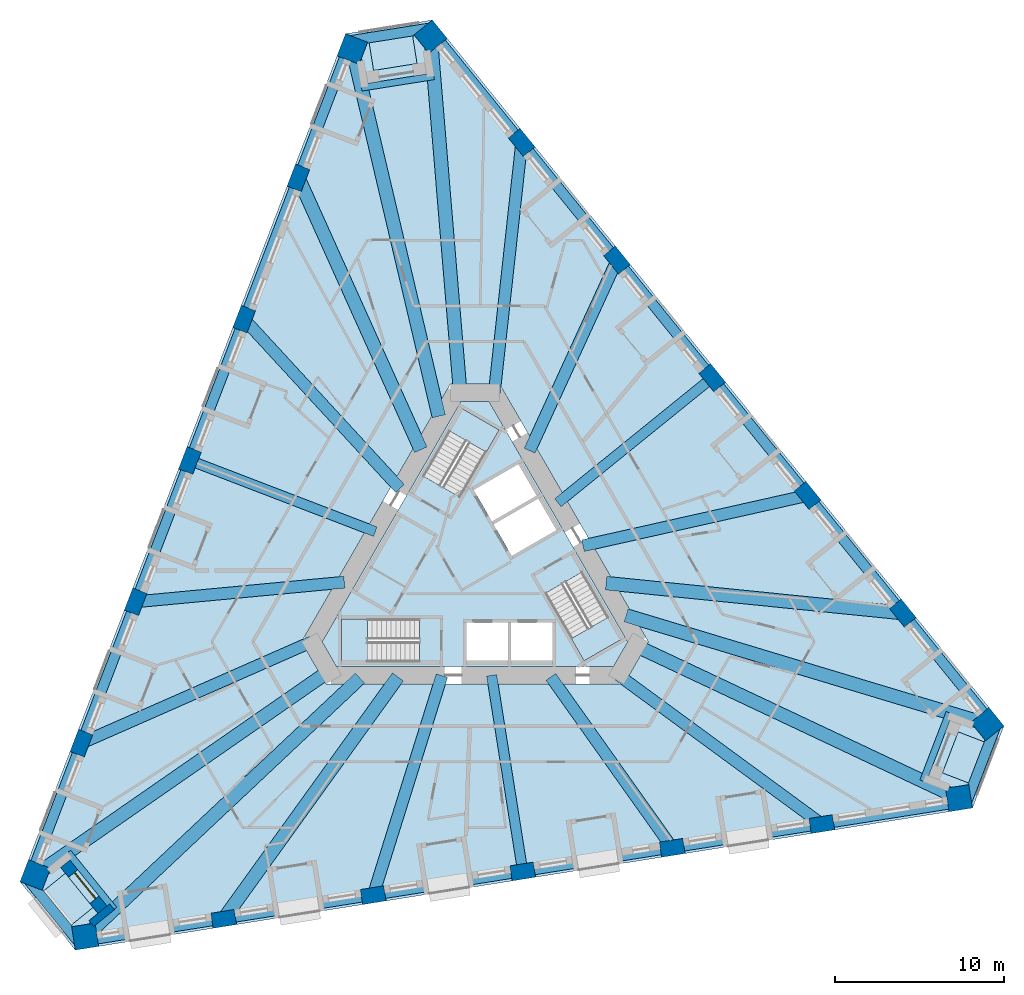
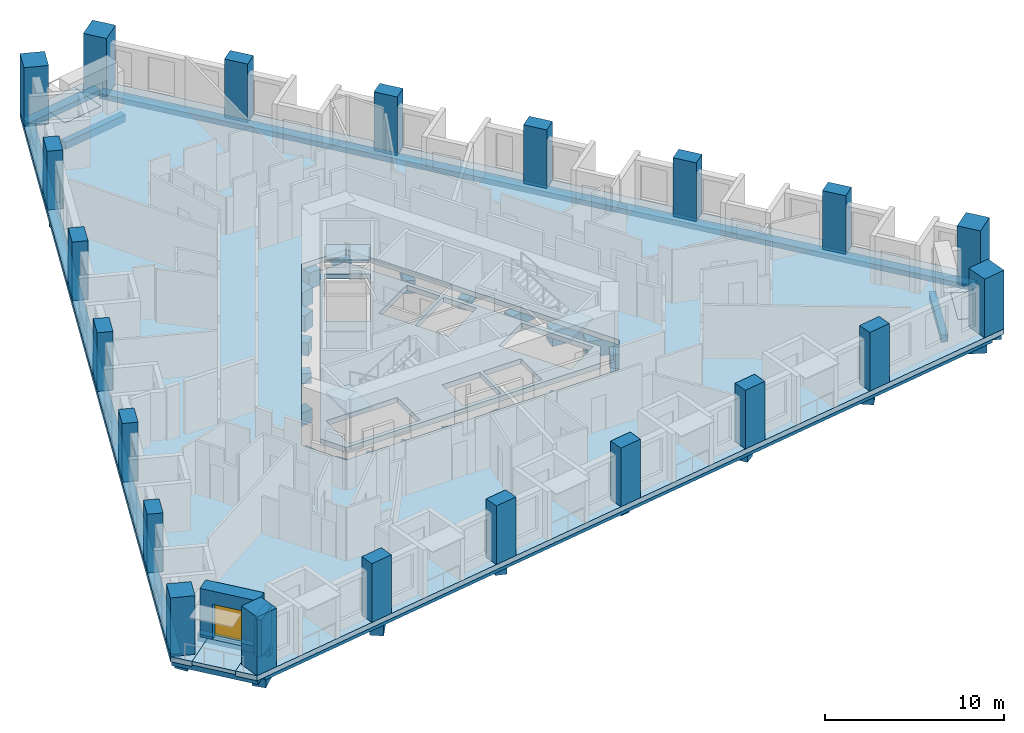
# One storey, part 1 of 14: 30 beams, 21 columns, 8 slabs, 2 walls, 1 door, 1 opening, 3 elements without a shape of their own.
"""IFC4 building model written with IfcOpenShell, lengths in metres."""

from ifc_helpers import new_model, si_unit, direction, frame, frame_2d, origin, origin_2d, place, context, subcontext, project, spatial, polyline, rectangle, outline, extrude, material, layer, layer_set, material_profile, profile_set, type_object, element, fill, aggregate, save


model = new_model("IFC4")

# Units and contexts
model_context = context("Model", 3, precision=1e-05, world=origin(), true_north=direction((0.0, 1.0)))
body_context = subcontext(model_context, "Body", "Model", "MODEL_VIEW")
ifc_project = project(units=[si_unit("LENGTHUNIT", "METRE"), si_unit("AREAUNIT", "SQUARE_METRE"), si_unit("VOLUMEUNIT", "CUBIC_METRE"), si_unit("PLANEANGLEUNIT", "RADIAN"), si_unit("MASSUNIT", "GRAM", prefix="KILO")], contexts=[model_context])

# Site, building, storey
site_placement = place(None, origin())
site = spatial("IfcSite", under=ifc_project, at=site_placement, CompositionType="ELEMENT")
building_placement = place(site_placement, origin())
building = spatial("IfcBuilding", under=site, at=building_placement, Name="Tramontana Tower", CompositionType="ELEMENT")
storey_placement = place(building_placement, frame((0.0, 0.0, 67.199951171875)))
storey = spatial("IfcBuildingStorey", under=building, at=storey_placement, Name="L14", CompositionType="ELEMENT", Elevation=67.199951171875)

# Columns
ifc_material_1 = material(Name="Concrete 70 MPa", Category="concrete")
ifc_material_profile_1 = material_profile(ifc_material_1, rectangle(XDim=1.39990234375, YDim=1.39990234375, at=origin_2d()), Name="Mega column 1400X1400 70 MPa")
ifc_profile_set_1 = profile_set([ifc_material_profile_1], Name="Concrete 70 MPa")
column_type_1 = type_object("IfcColumnType", Name="Mega column 1400X1400 70 MPa", PredefinedType="COLUMN", material=ifc_profile_set_1)
for number, where, z_axis, x_axis, name in (
    (1, (-7.24755859375, 30.7890625, 0.0), (0.0, 0.0, 1.0), (-0.358367949545, -0.933580426497, 0.0), "Mega column C1K1 L14"),
    (2, (-25.98779296875, -18.03125, 0.0), (0.0, 0.0, 1.0), (-0.358367949545, -0.933580426497, 0.0), "Mega column C1K2 L14"),
    (3, (-23.040283203125, -21.671142578125, 0.0), (0.0, 0.0, 1.0), (0.987688340595, 0.15643446504, 0.0), "Mega column C1K3 L14"),
    (4, (28.609375, -13.490478515625, 0.0), (0.0, 0.0, 1.0), (0.987688340595, 0.15643446504, 0.0), "Mega column C1K4 L14"),
    (5, (30.287841796875, -9.117919921875, 0.0), (0.0, 0.0, 1.0), (-0.62932039105, 0.777145961457, 0.0), "Mega column C1K5 L14"),
    (6, (-2.62158203125, 31.521728515625, 0.0), (0.0, 0.0, 1.0), (-0.62932039105, 0.777145961457, 0.0), "Mega column C1K6 L14"),
):
    element("IfcColumn", number, at=place(storey_placement, frame(where, z_axis=z_axis, x_axis=x_axis)), inside=storey, type_object=column_type_1, Name=name, PredefinedType="COLUMN", context=body_context, shape_type="SweptSolid", body=[
        extrude(rectangle(XDim=1.39990234375, YDim=1.39990234375, at=origin_2d()), origin(), (0.0, 0.0, 1.0), 4.0),
    ])
ifc_material_2 = material(Name="Concrete 55 MPa", Category="concrete")
ifc_material_profile_2 = material_profile(ifc_material_2, rectangle(XDim=1.39990234375, YDim=0.89990234375, at=origin_2d()), Name="Pier column 1400X900 55 MPa")
ifc_profile_set_2 = profile_set([ifc_material_profile_2], Name="Concrete 55 MPa")
column_type_2 = type_object("IfcColumnType", Name="Pier column 1400X900 55 MPa", PredefinedType="COLUMN", material=ifc_profile_set_2)
for number, where, z_axis, x_axis, name in (
    (7, (-10.43701171875, 23.177734375, 0.0), (0.0, 0.0, 1.0), (-0.358367949545, -0.933580426497, 0.0), "Pier column C1F01 L14"),
    (8, (-13.64404296875, 14.822998046875, 0.0), (0.0, 0.0, 1.0), (-0.358367949545, -0.933580426497, 0.0), "Pier column C1F02 L14"),
    (9, (-16.85107421875, 6.468505859375, 0.0), (0.0, 0.0, 1.0), (-0.358367949545, -0.933580426497, 0.0), "Pier column C1F03 L14"),
    (10, (-20.05810546875, -1.885986328125, 0.0), (0.0, 0.0, 1.0), (-0.358367949545, -0.933580426497, 0.0), "Pier column C1F04 L14"),
    (11, (-23.26513671875, -10.240478515625, 0.0), (0.0, 0.0, 1.0), (-0.358367949545, -0.933580426497, 0.0), "Pier column C1F05 L14"),
    (12, (-14.853759765625, -20.627685546875, 0.0), (0.0, 0.0, 1.0), (0.987688340595, 0.15643446504, 0.0), "Pier column C1F06 L14"),
    (13, (-6.01513671875, -19.227783203125, 0.0), (0.0, 0.0, 1.0), (0.987688340595, 0.15643446504, 0.0), "Pier column C1F07 L14"),
    (14, (2.82373046875, -17.827880859375, 0.0), (0.0, 0.0, 1.0), (0.987688340595, 0.15643446504, 0.0), "Pier column C1F08 L14"),
    (15, (11.662353515625, -16.427734375, 0.0), (0.0, 0.0, 1.0), (0.987688340595, 0.15643446504, 0.0), "Pier column C1F09 L14"),
    (16, (20.501220703125, -15.02783203125, 0.0), (0.0, 0.0, 1.0), (0.987688340595, 0.15643446504, 0.0), "Pier column C1F10 L14"),
    (17, (25.291015625, -2.550048828125, 0.0), (0.0, 0.0, 1.0), (-0.62932039105, 0.777145961457, 0.0), "Pier column C1F11 L14"),
    (18, (19.6591796875, 4.404541015625, 0.0), (0.0, 0.0, 1.0), (-0.62932039105, 0.777145961457, 0.0), "Pier column C1F12 L14"),
    (19, (14.027587890625, 11.359130859375, 0.0), (0.0, 0.0, 1.0), (-0.62932039105, 0.777145961457, 0.0), "Pier column C1F13 L14"),
    (20, (8.395751953125, 18.31396484375, 0.0), (0.0, 0.0, 1.0), (-0.62932039105, 0.777145961457, 0.0), "Pier column C1F14 L14"),
    (21, (2.763916015625, 25.2685546875, 0.0), (0.0, 0.0, 1.0), (-0.62932039105, 0.777145961457, 0.0), "Pier column C1F15 L14"),
):
    element("IfcColumn", number, at=place(storey_placement, frame(where, z_axis=z_axis, x_axis=x_axis)), inside=storey, type_object=column_type_2, Name=name, PredefinedType="COLUMN", context=body_context, shape_type="SweptSolid", body=[
        extrude(rectangle(XDim=1.39990234375, YDim=0.89990234375, at=origin_2d()), origin(), (0.0, 0.0, 1.0), 4.0),
    ])

# Beams
ifc_material_3 = material(Name="Concrete 40 MPa", Category="concrete")
ifc_material_profile_3 = material_profile(ifc_material_3, rectangle(XDim=0.60009765625, YDim=0.35009765625, at=origin_2d()), Name="RC EDGE BEAM 600X350 40 MPa")
ifc_profile_set_3 = profile_set([ifc_material_profile_3], Name="Concrete 40 MPa")
beam_type_1 = type_object("IfcBeamType", Name="RC EDGE BEAM 600X350 40 MPa", PredefinedType="SPANDREL", material=ifc_profile_set_3)
beam_1_placement = place(storey_placement, frame((-7.48095703125, 30.878662109375, -0.52490234375), z_axis=(-0.358365819965, -0.933581243964, 0.0), x_axis=(0.933581243964, -0.358365819965, 0.0)))
element("IfcBeam", 22, at=beam_1_placement, inside=storey, type_object=beam_type_1, Name="Spandrel beam S0 L14", PredefinedType="SPANDREL", context=body_context, shape_type="SweptSolid", body=[
    extrude(rectangle(XDim=0.60009765625, YDim=0.35009765625, at=origin_2d()), origin(), (0.0, 0.0, 1.0), 52.293701171875),
])
beam_2_placement = place(storey_placement, frame((-23.001220703125, -21.91796875, -0.52490234375), z_axis=(0.987688583718, 0.156432930012, 0.0), x_axis=(-0.156432930012, 0.987688583718, 0.0)))
element("IfcBeam", 23, at=beam_2_placement, inside=storey, type_object=beam_type_1, Name="Spandrel beam S1 L14", PredefinedType="SPANDREL", context=body_context, shape_type="SweptSolid", body=[
    extrude(rectangle(XDim=0.60009765625, YDim=0.35009765625, at=origin_2d()), origin(), (0.0, 0.0, 1.0), 52.29345703125),
])
beam_3_placement = place(storey_placement, frame((30.482177734375, -8.960693359375, -0.52490234375), z_axis=(-0.62931909415, 0.777147011664, 0.0), x_axis=(-0.777147011664, -0.62931909415, 0.0)))
element("IfcBeam", 24, at=beam_3_placement, inside=storey, type_object=beam_type_1, Name="Spandrel beam S2 L14", PredefinedType="SPANDREL", context=body_context, shape_type="SweptSolid", body=[
    extrude(rectangle(XDim=0.60009765625, YDim=0.35009765625, at=origin_2d()), origin(), (0.0, 0.0, 1.0), 52.293701171875),
])
beam_4_placement = place(storey_placement, frame((-2.447509765625, 32.061767578125, -0.52490234375), z_axis=(-0.987692388858, -0.156408903173, 0.0), x_axis=(0.156408903173, -0.987692388858, 0.0)))
element("IfcBeam", 25, at=beam_4_placement, inside=storey, type_object=beam_type_1, Name="Spandrel beam K0 L14", PredefinedType="SPANDREL", context=body_context, shape_type="SweptSolid", body=[
    extrude(rectangle(XDim=0.60009765625, YDim=0.35009765625, at=origin_2d()), origin(), (0.0, 0.0, 1.0), 5.1962890625),
])
for number, where, z_axis, x_axis, name in (
    (26, (-26.54248046875, -18.150634765625, -0.52490234375), (0.629325274503, -0.777142006889, 0.0), (0.777142006889, 0.629325274503, 0.0), "Spandrel beam K1 L14"),
    (27, (28.990234375, -13.9111328125, -0.52490234375), (0.358368174287, 0.933580340227, 0.0), (-0.933580340227, 0.358368174287, 0.0), "Spandrel beam K2 L14"),
):
    element("IfcBeam", number, at=place(storey_placement, frame(where, z_axis=z_axis, x_axis=x_axis)), inside=storey, type_object=beam_type_1, Name=name, PredefinedType="SPANDREL", context=body_context, shape_type="SweptSolid", body=[
        extrude(rectangle(XDim=0.60009765625, YDim=0.35009765625, at=origin_2d()), origin(), (0.0, 0.0, 1.0), 5.196044921875),
    ])
ifc_material_4 = material(Name="Concrete 40 MPa", Category="concrete")
ifc_material_profile_4 = material_profile(ifc_material_4, rectangle(XDim=0.60009765625, YDim=0.699951171875, at=origin_2d()), Name="RC GIRDER 600X700 40 MPa")
ifc_profile_set_4 = profile_set([ifc_material_profile_4], Name="Concrete 40 MPa")
beam_type_2 = type_object("IfcBeamType", Name="RC GIRDER 600X700 40 MPa", PredefinedType="BEAM", material=ifc_profile_set_4)
beam_5_placement = place(storey_placement, frame((-16.85107421875, 6.468505859375, -0.699951171875), z_axis=(0.933580146246, -0.358368679624, 0.0), x_axis=(0.358368679624, 0.933580146246, 0.0)))
element("IfcBeam", 28, at=beam_5_placement, inside=storey, type_object=beam_type_2, Name="Radial girder C1F03 L14", PredefinedType="BEAM", context=body_context, shape_type="SweptSolid", body=[
    extrude(rectangle(XDim=0.60009765625, YDim=0.699951171875, at=origin_2d()), origin(), (0.0, 0.0, 1.0), 11.74072265625),
])
for number, where, z_axis, x_axis, name in (
    (29, (2.823486328125, -17.827880859375, -0.699951171875), (-0.156412100064, 0.9876918826, 0.0), (-0.9876918826, -0.156412100064, 0.0), "Radial girder C1F08 L14"),
    (30, (14.027587890625, 11.359130859375, -0.699951171875), (-0.777154793409, -0.62930948434, 0.0), (0.62930948434, -0.777154793409, 0.0), "Radial girder C1F13 L14"),
):
    element("IfcBeam", number, at=place(storey_placement, frame(where, z_axis=z_axis, x_axis=x_axis)), inside=storey, type_object=beam_type_2, Name=name, PredefinedType="BEAM", context=body_context, shape_type="SweptSolid", body=[
        extrude(rectangle(XDim=0.60009765625, YDim=0.699951171875, at=origin_2d()), origin(), (0.0, 0.0, 1.0), 11.740966796875),
    ])
ifc_material_5 = material(Name="Concrete 40 MPa", Category="concrete")
ifc_material_profile_5 = material_profile(ifc_material_5, rectangle(XDim=0.699951171875, YDim=0.89990234375, at=origin_2d()), Name="RC GIRDER 700X900 40 MPa")
ifc_profile_set_5 = profile_set([ifc_material_profile_5], Name="Concrete 40 MPa")
beam_type_3 = type_object("IfcBeamType", Name="RC GIRDER 700X900 40 MPa", PredefinedType="BEAM", material=ifc_profile_set_5)
beam_6_placement = place(storey_placement, frame((-13.64404296875, 14.822998046875, -0.800048828125), z_axis=(0.677237750705, -0.735764248261, 0.0), x_axis=(0.735764248261, 0.677237750705, 0.0)))
element("IfcBeam", 31, at=beam_6_placement, inside=storey, type_object=beam_type_3, Name="Radial girder C1F02 L14", PredefinedType="BEAM", context=body_context, shape_type="SweptSolid", body=[
    extrude(rectangle(XDim=0.699951171875, YDim=0.89990234375, at=origin_2d()), origin(), (0.0, 0.0, 1.0), 13.598876953125),
])
beam_7_placement = place(storey_placement, frame((-20.05810546875, -1.885986328125, -0.800048828125), z_axis=(0.995608960431, 0.093609817375, 0.0), x_axis=(-0.093609817375, 0.995608960431, 0.0)))
element("IfcBeam", 32, at=beam_7_placement, inside=storey, type_object=beam_type_3, Name="Radial girder C1F04 L14", PredefinedType="BEAM", context=body_context, shape_type="SweptSolid", body=[
    extrude(rectangle(XDim=0.699951171875, YDim=0.89990234375, at=origin_2d()), origin(), (0.0, 0.0, 1.0), 12.3935546875),
])
beam_8_placement = place(storey_placement, frame((-23.26513671875, -10.240478515625, -0.800048828125), z_axis=(0.915262520168, 0.402857939199, 0.0), x_axis=(-0.402857939199, 0.915262520168, 0.0)))
element("IfcBeam", 33, at=beam_8_placement, inside=storey, type_object=beam_type_3, Name="Radial girder C1F05 L14", PredefinedType="BEAM", context=body_context, shape_type="SweptSolid", body=[
    extrude(rectangle(XDim=0.699951171875, YDim=0.89990234375, at=origin_2d()), origin(), (0.0, 0.0, 1.0), 14.87841796875),
])
beam_9_placement = place(storey_placement, frame((-6.01513671875, -19.227783203125, -0.800048828125), z_axis=(0.298567329493, 0.954388573779, 0.0), x_axis=(-0.954388573779, 0.298567329493, 0.0)))
element("IfcBeam", 34, at=beam_9_placement, inside=storey, type_object=beam_type_3, Name="Radial girder C1F07 L14", PredefinedType="BEAM", context=body_context, shape_type="SweptSolid", body=[
    extrude(rectangle(XDim=0.699951171875, YDim=0.89990234375, at=origin_2d()), origin(), (0.0, 0.0, 1.0), 13.599365234375),
])
beam_10_placement = place(storey_placement, frame((11.662353515625, -16.427978515625, -0.800048828125), z_axis=(-0.578872935906, 0.815417760461, 0.0), x_axis=(-0.815417760461, -0.578872935906, 0.0)))
element("IfcBeam", 35, at=beam_10_placement, inside=storey, type_object=beam_type_3, Name="Radial girder C1F09 L14", PredefinedType="BEAM", context=body_context, shape_type="SweptSolid", body=[
    extrude(rectangle(XDim=0.699951171875, YDim=0.89990234375, at=origin_2d()), origin(), (0.0, 0.0, 1.0), 12.3935546875),
])
beam_11_placement = place(storey_placement, frame((20.501220703125, -15.02783203125, -0.800048828125), z_axis=(-0.806528613825, 0.591195056712, 0.0), x_axis=(-0.591195056712, -0.806528613825, 0.0)))
element("IfcBeam", 36, at=beam_11_placement, inside=storey, type_object=beam_type_3, Name="Radial girder C1F10 L14", PredefinedType="BEAM", context=body_context, shape_type="SweptSolid", body=[
    extrude(rectangle(XDim=0.699951171875, YDim=0.89990234375, at=origin_2d()), origin(), (0.0, 0.0, 1.0), 14.878662109375),
])
beam_12_placement = place(storey_placement, frame((19.6591796875, 4.404541015625, -0.800048828125), z_axis=(-0.975807938002, -0.218629522556, 0.0), x_axis=(0.218629522556, -0.975807938002, 0.0)))
element("IfcBeam", 37, at=beam_12_placement, inside=storey, type_object=beam_type_3, Name="Radial girder C1F12 L14", PredefinedType="BEAM", context=body_context, shape_type="SweptSolid", body=[
    extrude(rectangle(XDim=0.699951171875, YDim=0.89990234375, at=origin_2d()), origin(), (0.0, 0.0, 1.0), 13.59912109375),
])
beam_13_placement = place(storey_placement, frame((8.395751953125, 18.31396484375, -0.800048828125), z_axis=(-0.416724572993, -0.909032799333, 0.0), x_axis=(0.909032799333, -0.416724572993, 0.0)))
element("IfcBeam", 38, at=beam_13_placement, inside=storey, type_object=beam_type_3, Name="Radial girder C1F14 L14", PredefinedType="BEAM", context=body_context, shape_type="SweptSolid", body=[
    extrude(rectangle(XDim=0.699951171875, YDim=0.89990234375, at=origin_2d()), origin(), (0.0, 0.0, 1.0), 12.393798828125),
])
beam_14_placement = place(storey_placement, frame((2.763916015625, 25.2685546875, -0.800048828125), z_axis=(-0.108724057734, -0.994071968858, 0.0), x_axis=(0.994071968858, -0.108724057734, 0.0)))
element("IfcBeam", 39, at=beam_14_placement, inside=storey, type_object=beam_type_3, Name="Radial girder C1F15 L14", PredefinedType="BEAM", context=body_context, shape_type="SweptSolid", body=[
    extrude(rectangle(XDim=0.699951171875, YDim=0.89990234375, at=origin_2d()), origin(), (0.0, 0.0, 1.0), 14.878662109375),
])
ifc_material_6 = material(Name="Concrete 40 MPa", Category="concrete")
ifc_material_profile_6 = material_profile(ifc_material_6, rectangle(XDim=0.800048828125, YDim=1.10009765625, at=origin_2d()), Name="RC GIRDER 800X1100 40 MPa")
ifc_profile_set_6 = profile_set([ifc_material_profile_6], Name="Concrete 40 MPa")
beam_type_4 = type_object("IfcBeamType", Name="RC GIRDER 800X1100 40 MPa", PredefinedType="BEAM", material=ifc_profile_set_6)
beam_15_placement = place(storey_placement, frame((-7.24755859375, 30.7890625, -0.89990234375), z_axis=(0.229129631405, -0.973395917401, 0.0), x_axis=(0.973395917401, 0.229129631405, 0.0)))
element("IfcBeam", 40, at=beam_15_placement, inside=storey, type_object=beam_type_4, Name="Radial girder C1K1 L14", PredefinedType="BEAM", context=body_context, shape_type="SweptSolid", body=[
    extrude(rectangle(XDim=0.800048828125, YDim=1.10009765625, at=origin_2d()), origin(), (0.0, 0.0, 1.0), 22.30322265625),
])
beam_16_placement = place(storey_placement, frame((-10.43701171875, 23.177490234375, -0.89990234375), z_axis=(0.410600793892, -0.91181521596, 0.0), x_axis=(0.91181521596, 0.410600793892, 0.0)))
element("IfcBeam", 41, at=beam_16_placement, inside=storey, type_object=beam_type_4, Name="Radial girder C1F01 L14", PredefinedType="BEAM", context=body_context, shape_type="SweptSolid", body=[
    extrude(rectangle(XDim=0.800048828125, YDim=1.10009765625, at=origin_2d()), origin(), (0.0, 0.0, 1.0), 17.626220703125),
])
beam_17_placement = place(storey_placement, frame((-25.98779296875, -18.03125, -0.89990234375), z_axis=(0.821603252741, 0.570059729402, 0.0), x_axis=(-0.570059729402, 0.821603252741, 0.0)))
element("IfcBeam", 42, at=beam_17_placement, inside=storey, type_object=beam_type_4, Name="Radial girder C1K2 L14", PredefinedType="BEAM", context=body_context, shape_type="SweptSolid", body=[
    extrude(rectangle(XDim=0.800048828125, YDim=1.10009765625, at=origin_2d()), origin(), (0.0, 0.0, 1.0), 21.11767578125),
])
beam_18_placement = place(storey_placement, frame((-23.040283203125, -21.671142578125, -0.89990234375), z_axis=(0.728416554247, 0.685134529489, 0.0), x_axis=(-0.685134529489, 0.728416554247, 0.0)))
element("IfcBeam", 43, at=beam_18_placement, inside=storey, type_object=beam_type_4, Name="Radial girder C1K3 L14", PredefinedType="BEAM", context=body_context, shape_type="SweptSolid", body=[
    extrude(rectangle(XDim=0.800048828125, YDim=1.10009765625, at=origin_2d()), origin(), (0.0, 0.0, 1.0), 22.30322265625),
])
beam_19_placement = place(storey_placement, frame((-14.85400390625, -20.627685546875, -0.89990234375), z_axis=(0.584356173005, 0.81149729702, 0.0), x_axis=(-0.81149729702, 0.584356173005, 0.0)))
element("IfcBeam", 44, at=beam_19_placement, inside=storey, type_object=beam_type_4, Name="Radial girder C1F06 L14", PredefinedType="BEAM", context=body_context, shape_type="SweptSolid", body=[
    extrude(rectangle(XDim=0.800048828125, YDim=1.10009765625, at=origin_2d()), origin(), (0.0, 0.0, 1.0), 17.626220703125),
])
beam_20_placement = place(storey_placement, frame((28.609375, -13.490478515625, -0.89990234375), z_axis=(-0.904488564757, 0.426497873645, 0.0), x_axis=(-0.426497873645, -0.904488564757, 0.0)))
element("IfcBeam", 45, at=beam_20_placement, inside=storey, type_object=beam_type_4, Name="Radial girder C1K4 L14", PredefinedType="BEAM", context=body_context, shape_type="SweptSolid", body=[
    extrude(rectangle(XDim=0.800048828125, YDim=1.10009765625, at=origin_2d()), origin(), (0.0, 0.0, 1.0), 21.11767578125),
])
beam_21_placement = place(storey_placement, frame((30.287841796875, -9.117919921875, -0.89990234375), z_axis=(-0.957551991149, 0.288260618619, 0.0), x_axis=(-0.288260618619, -0.957551991149, 0.0)))
element("IfcBeam", 46, at=beam_21_placement, inside=storey, type_object=beam_type_4, Name="Radial girder C1K5 L14", PredefinedType="BEAM", context=body_context, shape_type="SweptSolid", body=[
    extrude(rectangle(XDim=0.800048828125, YDim=1.10009765625, at=origin_2d()), origin(), (0.0, 0.0, 1.0), 22.303466796875),
])
beam_22_placement = place(storey_placement, frame((25.291015625, -2.550048828125, -0.89990234375), z_axis=(-0.99495498196, 0.100322399654, 0.0), x_axis=(-0.100322399654, -0.99495498196, 0.0)))
element("IfcBeam", 47, at=beam_22_placement, inside=storey, type_object=beam_type_4, Name="Radial girder C1F11 L14", PredefinedType="BEAM", context=body_context, shape_type="SweptSolid", body=[
    extrude(rectangle(XDim=0.800048828125, YDim=1.10009765625, at=origin_2d()), origin(), (0.0, 0.0, 1.0), 17.626220703125),
])
beam_23_placement = place(storey_placement, frame((-2.62158203125, 31.521728515625, -0.89990234375), z_axis=(0.082880913658, -0.996559458412, 0.0), x_axis=(0.996559458412, 0.082880913658, 0.0)))
element("IfcBeam", 48, at=beam_23_placement, inside=storey, type_object=beam_type_4, Name="Radial girder C1K6 L14", PredefinedType="BEAM", context=body_context, shape_type="SweptSolid", body=[
    extrude(rectangle(XDim=0.800048828125, YDim=1.10009765625, at=origin_2d()), origin(), (0.0, 0.0, 1.0), 21.11767578125),
])
ifc_material_7 = material(Name="Concrete 40 MPa", Category="concrete")
ifc_material_profile_7 = material_profile(ifc_material_7, rectangle(XDim=0.39990234375, YDim=0.5, at=origin_2d()), Name="RC TRIM BEAM 400X500 40 MPa")
ifc_profile_set_7 = profile_set([ifc_material_profile_7], Name="Concrete 40 MPa")
beam_type_5 = type_object("IfcBeamType", Name="RC TRIM BEAM 400X500 40 MPa", PredefinedType="JOIST", material=ifc_profile_set_7)
for number, where, z_axis, x_axis, name in (
    (49, (-2.4267578125, 29.1796875, -0.599853515625), (-0.987688889444, -0.156430999708, 0.0), (0.156430999708, -0.987688889444, 0.0), "Trimmer beam K0 L14"),
    (50, (-24.056884765625, -16.69140625, -0.599853515625), (0.629326191545, -0.777141264273, 0.0), (0.777141264273, 0.629326191545, 0.0), "Trimmer beam K1 L14"),
    (51, (26.483642578125, -12.48828125, -0.599853515625), (0.358345094406, 0.933589199442, 0.0), (-0.933589199442, 0.358345094406, 0.0), "Trimmer beam K2 L14"),
):
    element("IfcBeam", number, at=place(storey_placement, frame(where, z_axis=z_axis, x_axis=x_axis)), inside=storey, type_object=beam_type_5, Name=name, PredefinedType="JOIST", context=body_context, shape_type="SweptSolid", body=[
        extrude(rectangle(XDim=0.39990234375, YDim=0.5, at=origin_2d()), origin(), (0.0, 0.0, 1.0), 4.335693359375),
    ])

# Slabs
ifc_material_8 = material(Name="Precast concrete 50 MPa", Category="concrete")
ifc_layer_1 = layer(ifc_material_8, 0.25)
ifc_layer_set_1 = layer_set([ifc_layer_1], Name="LT1 Loggia floor tray 250")
slab_type_1 = type_object("IfcSlabType", Name="LT1 Loggia floor tray 250", PredefinedType="FLOOR", material=ifc_layer_set_1)
slab_1_placement = place(storey_placement, frame((0.0, 0.0, -0.25)))
element("IfcSlab", 52, at=slab_1_placement, inside=storey, type_object=slab_type_1, Name="Corner loggia floor L14 K10", PredefinedType="FLOOR", context=body_context, shape_type="SweptSolid", body=[
    extrude(outline(polyline([(-3.800048828125, 32.30322265625), (-3.424560546875, 29.932861328125), (-5.99267578125, 29.526123046875), (-6.3681640625, 31.896484375), (-3.800048828125, 32.30322265625)])), origin(), (0.0, 0.0, 1.0), 0.25),
])
slab_2_placement = place(storey_placement, frame((0.0, 0.0, -0.25)))
element("IfcSlab", 53, at=slab_2_placement, inside=storey, type_object=slab_type_1, Name="Corner loggia floor L14 K11", PredefinedType="FLOOR", context=body_context, shape_type="SweptSolid", body=[
    extrude(outline(polyline([(-26.075439453125, -19.442626953125), (-24.210205078125, -17.932373046875), (-22.573974609375, -19.952880859375), (-24.439208984375, -21.463134765625), (-26.075439453125, -19.442626953125)])), origin(), (0.0, 0.0, 1.0), 0.25),
])
slab_3_placement = place(storey_placement, frame((0.0, 0.0, -0.25)))
element("IfcSlab", 54, at=slab_3_placement, inside=storey, type_object=slab_type_1, Name="Corner loggia floor L14 K12", PredefinedType="FLOOR", context=body_context, shape_type="SweptSolid", body=[
    extrude(outline(polyline([(29.87548828125, -12.860595703125), (27.635009765625, -12.00048828125), (28.566650390625, -9.5732421875), (30.80712890625, -10.433349609375), (29.87548828125, -12.860595703125)])), origin(), (0.0, 0.0, 1.0), 0.25),
])
ifc_material_9 = material(Name="Concrete 40 MPa", Category="concrete")
ifc_layer_2 = layer(ifc_material_9, 0.35009765625)
ifc_layer_set_2 = layer_set([ifc_layer_2], Name="PT FLAT SLAB 350 40 MPa")
slab_type_2 = type_object("IfcSlabType", Name="PT FLAT SLAB 350 40 MPa", PredefinedType="FLOOR", material=ifc_layer_set_2)
slab_4_placement = place(storey_placement, frame((0.0, 0.0, -0.349853515625)))
element("IfcSlab", 55, at=slab_4_placement, inside=storey, type_object=slab_type_2, Name="Floor slab L14", PredefinedType="FLOOR", context=body_context, shape_type="SweptSolid", body=[
    extrude(outline(polyline([(30.80712890625, -10.433349609375), (28.566650390625, -9.5732421875), (27.635009765625, -12.00048828125), (29.87548828125, -12.860595703125), (29.410400390625, -14.072509765625), (-23.622314453125, -22.471923828125), (-24.439208984375, -21.463134765625), (-22.573974609375, -19.952880859375), (-24.210205078125, -17.932373046875), (-26.075439453125, -19.442626953125), (-26.892333984375, -18.433837890625), (-7.650146484375, 31.693359375), (-6.3681640625, 31.896484375), (-5.99267578125, 29.526123046875), (-3.4248046875, 29.932861328125), (-3.800048828125, 32.30322265625), (-2.51806640625, 32.50634765625), (31.2724609375, -9.221435546875), (30.80712890625, -10.433349609375)]), holes=[polyline([(-10.248046875, -4.25), (-8.8046875, -6.75), (8.8046875, -6.75), (10.248046875, -4.25), (1.443359375, 11.0), (-1.443359375, 11.0), (-10.248046875, -4.25)])]), origin(), (0.0, 0.0, 1.0), 0.349853515625),
])
slab_5_placement = place(storey_placement, frame((0.0, 0.0, -0.349853515625)))
element("IfcSlab", 56, at=slab_5_placement, inside=storey, type_object=slab_type_2, Name="Core floor slab L14", PredefinedType="FLOOR", context=body_context, shape_type="SweptSolid", body=[
    extrude(outline(polyline([(9.035400390625, -4.25), (8.198486328125, -5.699951171875), (-8.198486328125, -5.699951171875), (-9.035400390625, -4.25), (-0.837158203125, 9.949951171875), (0.837158203125, 9.949951171875), (9.035400390625, -4.25)]), holes=[polyline([(8.659912109375, -4.099365234375), (6.35986328125, -0.115478515625), (4.151611328125, -1.390625), (6.451416015625, -5.374267578125), (8.659912109375, -4.099365234375)]), polyline([(3.829833984375, 4.2666015625), (1.101806640625, 2.69140625), (2.177001953125, 0.82958984375), (4.90478515625, 2.404541015625), (3.829833984375, 4.2666015625)]), polyline([(4.590087890625, -3.10009765625), (2.139892578125, -3.10009765625), (2.139892578125, -5.449951171875), (4.590087890625, -5.449951171875), (4.590087890625, -3.10009765625)]), polyline([(2.65478515625, 6.3017578125), (-0.072998046875, 4.726806640625), (1.001953125, 2.86474609375), (3.729736328125, 4.439697265625), (2.65478515625, 6.3017578125)]), polyline([(1.93994140625, -5.449951171875), (1.93994140625, -3.10009765625), (-0.510009765625, -3.10009765625), (-0.510009765625, -5.449951171875), (1.93994140625, -5.449951171875)]), polyline([(-0.77978515625, 9.54931640625), (-3.079833984375, 5.565673828125), (-0.87158203125, 4.29052734375), (1.428466796875, 8.2744140625), (-0.77978515625, 9.54931640625)]), polyline([(-7.8798828125, -5.449951171875), (-3.280029296875, -5.449951171875), (-3.280029296875, -2.89990234375), (-7.8798828125, -2.89990234375), (-7.8798828125, -5.449951171875)])]), origin(), (0.0, 0.0, 1.0), 0.349853515625),
])

# Stair, slab
ifc_material_10 = material(Name="Concrete 40 MPa", Category="concrete")
stair_type = type_object("IfcStairType", Name="EXIT STAIR 24 RISERS", PredefinedType="HALF_TURN_STAIR", material=ifc_material_10)
stair_1_placement = place(storey_placement, origin())
stair_1 = element("IfcStair", 57, at=stair_1_placement, inside=storey, type_object=stair_type, Name="L14 Exit stair ST1", PredefinedType="HALF_TURN_STAIR")
ifc_material_11 = material(Name="Concrete 40 MPa", Category="concrete")
ifc_layer_3 = layer(ifc_material_11, 0.199951171875)
ifc_layer_set_3 = layer_set([ifc_layer_3], Name="STAIR LANDING 200")
slab_type_3 = type_object("IfcSlabType", Name="STAIR LANDING 200", PredefinedType="LANDING", material=ifc_layer_set_3)
slab_6_placement = place(storey_placement, frame((0.0, 0.0, 1.800048828125)))
slab_6 = element("IfcSlab", 58, at=slab_6_placement, type_object=slab_type_3, Name="ST1 landing 1", PredefinedType="LANDING", context=body_context, shape_type="SweptSolid", body=[
    extrude(outline(polyline([(0.66845703125, 6.9580078125), (1.428466796875, 8.274169921875), (-0.77978515625, 9.54931640625), (-1.539794921875, 8.23291015625), (0.66845703125, 6.9580078125)])), origin(), (0.0, 0.0, 1.0), 0.199951171875),
])
aggregate(stair_1, [slab_6])

stair_2_placement = place(storey_placement, origin())
stair_2 = element("IfcStair", 59, at=stair_2_placement, inside=storey, type_object=stair_type, Name="L14 Exit stair ST2", PredefinedType="HALF_TURN_STAIR")
slab_7_placement = place(storey_placement, frame((0.0, 0.0, 1.800048828125)))
slab_7 = element("IfcSlab", 60, at=slab_7_placement, type_object=slab_type_3, Name="ST2 landing 1", PredefinedType="LANDING", context=body_context, shape_type="SweptSolid", body=[
    extrude(outline(polyline([(-6.360107421875, -2.89990234375), (-7.8798828125, -2.89990234375), (-7.8798828125, -5.449951171875), (-6.360107421875, -5.449951171875), (-6.360107421875, -2.89990234375)])), origin(), (0.0, 0.0, 1.0), 0.199951171875),
])
aggregate(stair_2, [slab_7])

stair_3_placement = place(storey_placement, origin())
stair_3 = element("IfcStair", 61, at=stair_3_placement, inside=storey, type_object=stair_type, Name="L14 Exit stair ST3", PredefinedType="HALF_TURN_STAIR")
slab_8_placement = place(storey_placement, frame((0.0, 0.0, 1.800048828125)))
slab_8 = element("IfcSlab", 62, at=slab_8_placement, type_object=slab_type_3, Name="ST3 landing 1", PredefinedType="LANDING", context=body_context, shape_type="SweptSolid", body=[
    extrude(outline(polyline([(5.69140625, -4.057861328125), (6.451416015625, -5.374267578125), (8.659912109375, -4.099365234375), (7.89990234375, -2.782958984375), (5.69140625, -4.057861328125)])), origin(), (0.0, 0.0, 1.0), 0.199951171875),
])
aggregate(stair_3, [slab_8])

# Wall
ifc_material_12 = material(Name="Precast concrete 60 MPa", Category="concrete")
ifc_layer_4 = layer(ifc_material_12, 0.449951171875)
ifc_layer_set_4 = layer_set([ifc_layer_4], Name="Precast concrete 60 MPa, 450 mm")
wall_type_1 = type_object("IfcWallType", Name="EW1 Stone-faced precast wall 450", PredefinedType="SOLIDWALL", material=ifc_layer_set_4)
wall_1_placement = place(storey_placement, frame((-22.677001953125, -20.90478515625, 0.0), z_axis=(0.0, 0.0, 1.0), x_axis=(0.777205264571, 0.629247150747, 0.0)))
element("IfcWall", 63, at=wall_1_placement, inside=storey, type_object=wall_type_1, Name="Corner loggia side wall L14 K11l", PredefinedType="SOLIDWALL", context=body_context, shape_type="SweptSolid", body=[
    extrude(rectangle(XDim=1.5791015625, YDim=0.449951171875, at=frame_2d((0.78955078125, 0.0))), origin(), (0.0, 0.0, 1.0), 2.550048828125),
])

# Wall, opening, door
ifc_material_13 = material(Name="Precast concrete 60 MPa", Category="concrete")
ifc_layer_5 = layer(ifc_material_13, 0.89990234375)
ifc_layer_set_5 = layer_set([ifc_layer_5], Name="EW2 Stone-faced corner loggia wall 900")
wall_type_2 = type_object("IfcWallType", Name="EW2 Stone-faced corner loggia wall 900", PredefinedType="SOLIDWALL", material=ifc_layer_set_5)
wall_2_placement = place(storey_placement, frame((-21.941162109375, -20.019287109375, 0.0), z_axis=(0.0, 0.0, 1.0), x_axis=(-0.629328651904, 0.777139271876, 0.0)))
wall_2 = element("IfcWall", 64, at=wall_2_placement, inside=storey, type_object=wall_type_2, Name="Corner loggia wall L14 K11", PredefinedType="SOLIDWALL", context=body_context, shape_type="SweptSolid", body=[
    extrude(rectangle(XDim=3.5, YDim=0.89990234375, at=frame_2d((1.75, 0.0))), origin(), (0.0, 0.0, 1.0), 3.300048828125),
])
opening_placement = place(wall_2_placement, frame((0.75, 0.0, 0.0)))
opening = element("IfcOpeningElement", 65, at=opening_placement, cuts=wall_2, Name="Opening BD-11C", PredefinedType="OPENING", context=body_context, shape_type="SweptSolid", body=[
    extrude(rectangle(XDim=2.0, YDim=2.39990234375, at=frame_2d((1.0, 1.199951171875))), frame((0.0, 0.4599609375, 0.0), z_axis=(0.0, -1.0, 0.0), x_axis=(1.0, 0.0, 0.0)), (0.0, 0.0, 1.0), 0.919921875),
])
ifc_material_14 = material(Name="Aluminum frame, double glazing unit", Category="aluminium")
door_type = type_object("IfcDoorType", Name="BC1 Sliding door 2 x 2.4", OperationType="SLIDING_TO_LEFT", PredefinedType="DOOR", material=ifc_material_14)
door_placement = place(opening_placement, origin())
door = element("IfcDoor", 66, at=door_placement, inside=storey, type_object=door_type, Name="Corner loggia door L14 K11", OperationType="SLIDING_TO_LEFT", OverallHeight=2.39990234375, OverallWidth=2.0, PredefinedType="DOOR", context=body_context, shape_type="SweptSolid", body=[
    extrude(rectangle(XDim=2.0, YDim=2.39990234375, at=frame_2d((1.0, 1.199951171875))), frame((0.0, 0.02490234375, 0.0), z_axis=(0.0, -1.0, 0.0), x_axis=(1.0, 0.0, 0.0)), (0.0, 0.0, 1.0), 0.050048828125),
])
fill(opening, door)

save(model, "model.ifc")
